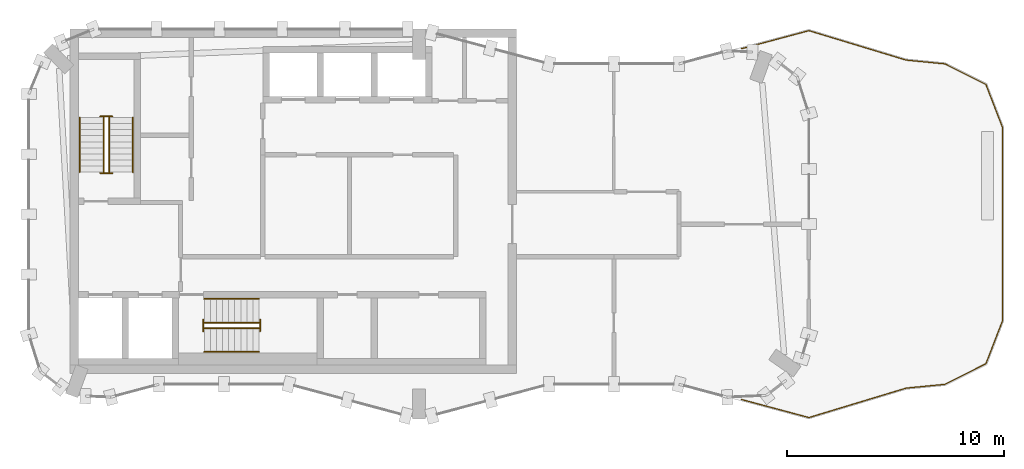
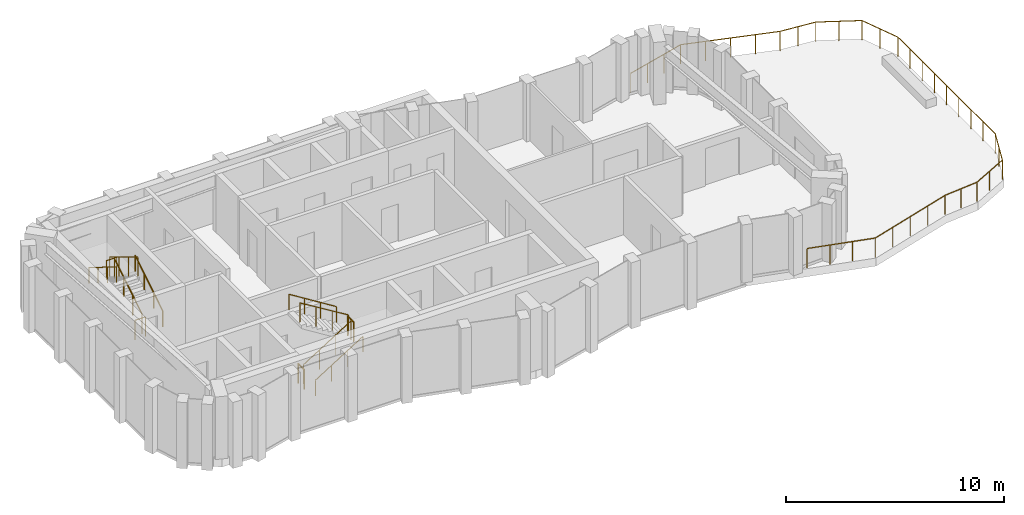
# One storey, part 5 of 5: 13 railings.
"""IFC4 building model written with IfcOpenShell, lengths in metres."""

from ifc_helpers import new_model, si_unit, direction, frame, origin, origin_2d, place, context, subcontext, project, spatial, circle, extrude, material, type_object, element, save


model = new_model("IFC4")

# Units and contexts
model_context = context("Model", 3, precision=1e-05, world=origin(), true_north=direction((0.0, 1.0)))
body_context = subcontext(model_context, "Body", "Model", "MODEL_VIEW")
ifc_project = project(units=[si_unit("LENGTHUNIT", "METRE"), si_unit("AREAUNIT", "SQUARE_METRE"), si_unit("VOLUMEUNIT", "CUBIC_METRE"), si_unit("PLANEANGLEUNIT", "RADIAN"), si_unit("MASSUNIT", "GRAM", prefix="KILO")], contexts=[model_context])

# Site, building, storey
site_placement = place(None, origin())
site = spatial("IfcSite", under=ifc_project, at=site_placement, CompositionType="ELEMENT")
building_placement = place(site_placement, origin())
building = spatial("IfcBuilding", under=site, at=building_placement, Name="Plateau Cross Towers", CompositionType="ELEMENT")
storey_placement = place(building_placement, frame((0.0, 0.0, 294.89990234375)))
storey = spatial("IfcBuildingStorey", under=building, at=storey_placement, Name="L78 Crown 2", CompositionType="ELEMENT", Elevation=294.89990234375)

# Railings
ifc_material_1 = material(Name="Stainless steel and toughened glass", Category="steel")
railing_type_1 = type_object("IfcRailingType", Name="Glass balustrade guard 1100", PredefinedType="GUARDRAIL", material=ifc_material_1)
railing_1_placement = place(storey_placement, frame((32.87451171875, 17.090576171875, 0.0)))
element("IfcRailing", 1, at=railing_1_placement, inside=storey, type_object=railing_type_1, Name="Guard guard1", PredefinedType="GUARDRAIL", context=body_context, shape_type="SweptSolid", body=[
    extrude(circle(Radius=0.02392578125, at=origin_2d()), frame((0.0, 0.0, 1.076171875), z_axis=(0.965962535817, 0.258682004395, 0.0), x_axis=(-0.258682004395, 0.965962535817, 0.0)), (0.0, 0.0, 1.0), 3.234375),
    extrude(circle(Radius=0.02392578125, at=origin_2d()), frame((3.124267578125, 0.836669921875, 1.076171875), z_axis=(0.957053301759, -0.289912016985, 0.0), x_axis=(0.289912016985, 0.957053301759, 0.0)), (0.0, 0.0, 1.0), 4.68896484375),
    extrude(circle(Radius=0.02392578125, at=origin_2d()), frame((7.61181640625, -0.522705078125, 1.076171875), z_axis=(0.995311170034, -0.096724737301, 0.0), x_axis=(0.096724737301, 0.995311170034, 0.0)), (0.0, 0.0, 1.0), 1.7919921875),
    extrude(circle(Radius=0.02392578125, at=origin_2d()), frame((9.3955078125, -0.696044921875, 1.076171875), z_axis=(0.893712463542, -0.448640203849, 0.0), x_axis=(0.448640203849, 0.893712463542, 0.0)), (0.0, 0.0, 1.0), 2.12109375),
    extrude(circle(Radius=0.02392578125, at=origin_2d()), frame((11.291259765625, -1.647705078125, 1.076171875), z_axis=(0.360251330697, -0.932855282844, 0.0), x_axis=(0.932855282844, 0.360251330697, 0.0)), (0.0, 0.0, 1.0), 2.12109375),
    extrude(circle(Radius=0.02392578125, at=origin_2d()), frame((12.055419921875, -3.62646484375, 1.076171875), z_axis=(0.0, -1.0, 0.0), x_axis=(1.0, 0.0, 0.0)), (0.0, 0.0, 1.0), 8.92822265625),
    extrude(circle(Radius=0.02392578125, at=origin_2d()), frame((12.055419921875, -12.5546875, 1.076171875), z_axis=(-0.360251330697, -0.932855282844, 0.0), x_axis=(0.932855282844, -0.360251330697, 0.0)), (0.0, 0.0, 1.0), 2.12109375),
    extrude(circle(Radius=0.02392578125, at=origin_2d()), frame((11.291259765625, -14.533447265625, 1.076171875), z_axis=(-0.893712463542, -0.448640203849, 0.0), x_axis=(0.448640203849, -0.893712463542, 0.0)), (0.0, 0.0, 1.0), 2.12109375),
    extrude(circle(Radius=0.02392578125, at=origin_2d()), frame((9.3955078125, -15.485107421875, 1.076171875), z_axis=(-0.995311170034, -0.096724737301, 0.0), x_axis=(0.096724737301, -0.995311170034, 0.0)), (0.0, 0.0, 1.0), 1.7919921875),
    extrude(circle(Radius=0.02392578125, at=origin_2d()), frame((7.61181640625, -15.658447265625, 1.076171875), z_axis=(-0.957053301759, -0.289912016985, 0.0), x_axis=(0.289912016985, -0.957053301759, 0.0)), (0.0, 0.0, 1.0), 4.68896484375),
    extrude(circle(Radius=0.02392578125, at=origin_2d()), frame((3.124267578125, -17.017822265625, 1.076171875), z_axis=(-0.965962535817, 0.258682004395, 0.0), x_axis=(-0.258682004395, -0.965962535817, 0.0)), (0.0, 0.0, 1.0), 3.234375),
    extrude(circle(Radius=0.02099609375, at=origin_2d()), origin(), (0.0, 0.0, 1.0), 1.052001953125),
    extrude(circle(Radius=0.02099609375, at=origin_2d()), frame((1.04150390625, 0.27880859375, 0.0)), (0.0, 0.0, 1.0), 1.052001953125),
    extrude(circle(Radius=0.02099609375, at=origin_2d()), frame((2.082763671875, 0.557861328125, 0.0)), (0.0, 0.0, 1.0), 1.052001953125),
    extrude(circle(Radius=0.02099609375, at=origin_2d()), frame((3.124267578125, 0.836669921875, 0.0)), (0.0, 0.0, 1.0), 1.052001953125),
    extrude(circle(Radius=0.02099609375, at=origin_2d()), frame((4.24609375, 0.496826171875, 0.0)), (0.0, 0.0, 1.0), 1.052001953125),
    extrude(circle(Radius=0.02099609375, at=origin_2d()), frame((5.3681640625, 0.156982421875, 0.0)), (0.0, 0.0, 1.0), 1.052001953125),
    extrude(circle(Radius=0.02099609375, at=origin_2d()), frame((6.489990234375, -0.182861328125, 0.0)), (0.0, 0.0, 1.0), 1.052001953125),
    extrude(circle(Radius=0.02099609375, at=origin_2d()), frame((7.61181640625, -0.522705078125, 0.0)), (0.0, 0.0, 1.0), 1.052001953125),
    extrude(circle(Radius=0.02099609375, at=origin_2d()), frame((8.503662109375, -0.609375, 0.0)), (0.0, 0.0, 1.0), 1.052001953125),
    extrude(circle(Radius=0.02099609375, at=origin_2d()), frame((9.3955078125, -0.696044921875, 0.0)), (0.0, 0.0, 1.0), 1.052001953125),
    extrude(circle(Radius=0.02099609375, at=origin_2d()), frame((10.34326171875, -1.171875, 0.0)), (0.0, 0.0, 1.0), 1.052001953125),
    extrude(circle(Radius=0.02099609375, at=origin_2d()), frame((11.291259765625, -1.647705078125, 0.0)), (0.0, 0.0, 1.0), 1.052001953125),
    extrude(circle(Radius=0.02099609375, at=origin_2d()), frame((11.67333984375, -2.63720703125, 0.0)), (0.0, 0.0, 1.0), 1.052001953125),
    extrude(circle(Radius=0.02099609375, at=origin_2d()), frame((12.055419921875, -3.62646484375, 0.0)), (0.0, 0.0, 1.0), 1.052001953125),
    extrude(circle(Radius=0.02099609375, at=origin_2d()), frame((12.055419921875, -4.742431640625, 0.0)), (0.0, 0.0, 1.0), 1.052001953125),
    extrude(circle(Radius=0.02099609375, at=origin_2d()), frame((12.055419921875, -5.8583984375, 0.0)), (0.0, 0.0, 1.0), 1.052001953125),
    extrude(circle(Radius=0.02099609375, at=origin_2d()), frame((12.055419921875, -6.974609375, 0.0)), (0.0, 0.0, 1.0), 1.052001953125),
    extrude(circle(Radius=0.02099609375, at=origin_2d()), frame((12.055419921875, -8.090576171875, 0.0)), (0.0, 0.0, 1.0), 1.052001953125),
    extrude(circle(Radius=0.02099609375, at=origin_2d()), frame((12.055419921875, -9.20654296875, 0.0)), (0.0, 0.0, 1.0), 1.052001953125),
    extrude(circle(Radius=0.02099609375, at=origin_2d()), frame((12.055419921875, -10.32275390625, 0.0)), (0.0, 0.0, 1.0), 1.052001953125),
    extrude(circle(Radius=0.02099609375, at=origin_2d()), frame((12.055419921875, -11.438720703125, 0.0)), (0.0, 0.0, 1.0), 1.052001953125),
    extrude(circle(Radius=0.02099609375, at=origin_2d()), frame((12.055419921875, -12.5546875, 0.0)), (0.0, 0.0, 1.0), 1.052001953125),
    extrude(circle(Radius=0.02099609375, at=origin_2d()), frame((11.67333984375, -13.5439453125, 0.0)), (0.0, 0.0, 1.0), 1.052001953125),
    extrude(circle(Radius=0.02099609375, at=origin_2d()), frame((11.291259765625, -14.533447265625, 0.0)), (0.0, 0.0, 1.0), 1.052001953125),
    extrude(circle(Radius=0.02099609375, at=origin_2d()), frame((10.34326171875, -15.00927734375, 0.0)), (0.0, 0.0, 1.0), 1.052001953125),
    extrude(circle(Radius=0.02099609375, at=origin_2d()), frame((9.3955078125, -15.485107421875, 0.0)), (0.0, 0.0, 1.0), 1.052001953125),
    extrude(circle(Radius=0.02099609375, at=origin_2d()), frame((8.503662109375, -15.57177734375, 0.0)), (0.0, 0.0, 1.0), 1.052001953125),
    extrude(circle(Radius=0.02099609375, at=origin_2d()), frame((7.61181640625, -15.658447265625, 0.0)), (0.0, 0.0, 1.0), 1.052001953125),
    extrude(circle(Radius=0.02099609375, at=origin_2d()), frame((6.489990234375, -15.998291015625, 0.0)), (0.0, 0.0, 1.0), 1.052001953125),
    extrude(circle(Radius=0.02099609375, at=origin_2d()), frame((5.3681640625, -16.338134765625, 0.0)), (0.0, 0.0, 1.0), 1.052001953125),
    extrude(circle(Radius=0.02099609375, at=origin_2d()), frame((4.24609375, -16.677978515625, 0.0)), (0.0, 0.0, 1.0), 1.052001953125),
    extrude(circle(Radius=0.02099609375, at=origin_2d()), frame((3.124267578125, -17.017822265625, 0.0)), (0.0, 0.0, 1.0), 1.052001953125),
    extrude(circle(Radius=0.02099609375, at=origin_2d()), frame((2.082763671875, -16.739013671875, 0.0)), (0.0, 0.0, 1.0), 1.052001953125),
    extrude(circle(Radius=0.02099609375, at=origin_2d()), frame((1.04150390625, -16.4599609375, 0.0)), (0.0, 0.0, 1.0), 1.052001953125),
    extrude(circle(Radius=0.02099609375, at=origin_2d()), frame((0.0, -16.18115234375, 0.0)), (0.0, 0.0, 1.0), 1.052001953125),
])
railing_type_2 = type_object("IfcRailingType", Name="RL-GUARD-1100", PredefinedType="GUARDRAIL", material=ifc_material_1)
railing_2_placement = place(storey_placement, frame((3.699951171875, 11.39990234375, 0.175048828125)))
element("IfcRailing", 2, at=railing_2_placement, inside=storey, type_object=railing_type_2, Name="L78 Crown 2 ST-1 stair guard 1", PredefinedType="GUARDRAIL", context=body_context, shape_type="SweptSolid", body=[
    extrude(circle(Radius=0.02392578125, at=origin_2d()), frame((0.0, 0.0, 1.076171875), z_axis=(0.0, 0.848007534815, 0.529984170421), x_axis=(-1.0, 0.0, 0.0)), (0.0, 0.0, 1.0), 2.9716796875),
    extrude(circle(Radius=0.02099609375, at=origin_2d()), origin(), (0.0, 0.0, 1.0), 1.052001953125),
    extrude(circle(Radius=0.02099609375, at=origin_2d()), frame((0.0, 0.840087890625, 0.52490234375)), (0.0, 0.0, 1.0), 1.052001953125),
    extrude(circle(Radius=0.02099609375, at=origin_2d()), frame((0.0, 1.679931640625, 1.050048828125)), (0.0, 0.0, 1.0), 1.052001953125),
    extrude(circle(Radius=0.02099609375, at=origin_2d()), frame((0.0, 2.52001953125, 1.574951171875)), (0.0, 0.0, 1.0), 1.052001953125),
])
railing_3_placement = place(storey_placement, frame((3.85009765625, 13.969970703125, 1.75)))
element("IfcRailing", 3, at=railing_3_placement, inside=storey, type_object=railing_type_2, Name="L78 Crown 2 ST-1 stair guard 2", PredefinedType="GUARDRAIL", context=body_context, shape_type="SweptSolid", body=[
    extrude(circle(Radius=0.02392578125, at=origin_2d()), frame((0.0, 0.0, 1.076171875), z_axis=(-1.0, 0.0, 0.0), x_axis=(0.0, -1.0, 0.0)), (0.0, 0.0, 1.0), 0.550048828125),
    extrude(circle(Radius=0.02099609375, at=origin_2d()), origin(), (0.0, 0.0, 1.0), 1.052001953125),
    extrude(circle(Radius=0.02099609375, at=origin_2d()), frame((-0.550048828125, 0.0, 0.0)), (0.0, 0.0, 1.0), 1.052001953125),
])
railing_4_placement = place(storey_placement, frame((3.449951171875, 13.919921875, 1.925048828125)))
element("IfcRailing", 4, at=railing_4_placement, inside=storey, type_object=railing_type_2, Name="L78 Crown 2 ST-1 stair guard 3", PredefinedType="GUARDRAIL", context=body_context, shape_type="SweptSolid", body=[
    extrude(circle(Radius=0.02392578125, at=origin_2d()), frame((0.0, 0.0, 1.076171875), z_axis=(0.0, -0.852616386126, 0.522537365276), x_axis=(1.0, 0.0, 0.0)), (0.0, 0.0, 1.0), 3.01416015625),
    extrude(circle(Radius=0.02099609375, at=origin_2d()), origin(), (0.0, 0.0, 1.0), 1.052001953125),
    extrude(circle(Radius=0.02099609375, at=origin_2d()), frame((0.0, -0.856689453125, 0.52490234375)), (0.0, 0.0, 1.0), 1.052001953125),
    extrude(circle(Radius=0.02099609375, at=origin_2d()), frame((0.0, -1.713134765625, 1.050048828125)), (0.0, 0.0, 1.0), 1.052001953125),
    extrude(circle(Radius=0.02099609375, at=origin_2d()), frame((0.0, -2.56982421875, 1.574951171875)), (0.0, 0.0, 1.0), 1.052001953125),
])
railing_5_placement = place(storey_placement, frame((3.85009765625, 11.35009765625, 0.0)))
element("IfcRailing", 5, at=railing_5_placement, inside=storey, type_object=railing_type_2, Name="L78 Crown 2 ST-1 stair guard 4", PredefinedType="GUARDRAIL", context=body_context, shape_type="SweptSolid", body=[
    extrude(circle(Radius=0.02392578125, at=origin_2d()), frame((0.0, 0.0, 1.076171875), z_axis=(-1.0, 0.0, 0.0), x_axis=(0.0, -1.0, 0.0)), (0.0, 0.0, 1.0), 0.550048828125),
    extrude(circle(Radius=0.02099609375, at=origin_2d()), origin(), (0.0, 0.0, 1.0), 1.052001953125),
    extrude(circle(Radius=0.02099609375, at=origin_2d()), frame((-0.550048828125, 0.0, 0.0)), (0.0, 0.0, 1.0), 1.052001953125),
])
railing_6_placement = place(storey_placement, frame((8.10009765625, 4.199951171875, 0.175048828125)))
element("IfcRailing", 6, at=railing_6_placement, inside=storey, type_object=railing_type_2, Name="L78 Crown 2 ST-2 stair guard 1", PredefinedType="GUARDRAIL", context=body_context, shape_type="SweptSolid", body=[
    extrude(circle(Radius=0.02392578125, at=origin_2d()), frame((0.0, 0.0, 1.076171875), z_axis=(0.848007534815, 0.0, 0.529984170421), x_axis=(0.0, 1.0, 0.0)), (0.0, 0.0, 1.0), 2.9716796875),
    extrude(circle(Radius=0.02099609375, at=origin_2d()), origin(), (0.0, 0.0, 1.0), 1.052001953125),
    extrude(circle(Radius=0.02099609375, at=origin_2d()), frame((0.840087890625, 0.0, 0.52490234375)), (0.0, 0.0, 1.0), 1.052001953125),
    extrude(circle(Radius=0.02099609375, at=origin_2d()), frame((1.679931640625, 0.0, 1.050048828125)), (0.0, 0.0, 1.0), 1.052001953125),
    extrude(circle(Radius=0.02099609375, at=origin_2d()), frame((2.52001953125, 0.0, 1.574951171875)), (0.0, 0.0, 1.0), 1.052001953125),
])
railing_7_placement = place(storey_placement, frame((10.669921875, 4.050048828125, 1.75)))
element("IfcRailing", 7, at=railing_7_placement, inside=storey, type_object=railing_type_2, Name="L78 Crown 2 ST-2 stair guard 2", PredefinedType="GUARDRAIL", context=body_context, shape_type="SweptSolid", body=[
    extrude(circle(Radius=0.02392578125, at=origin_2d()), frame((0.0, 0.0, 1.076171875), z_axis=(0.0, 1.0, 0.0), x_axis=(-1.0, 0.0, 0.0)), (0.0, 0.0, 1.0), 0.550048828125),
    extrude(circle(Radius=0.02099609375, at=origin_2d()), origin(), (0.0, 0.0, 1.0), 1.052001953125),
    extrude(circle(Radius=0.02099609375, at=origin_2d()), frame((0.0, 0.550048828125, 0.0)), (0.0, 0.0, 1.0), 1.052001953125),
])
railing_8_placement = place(storey_placement, frame((10.6201171875, 4.449951171875, 1.925048828125)))
element("IfcRailing", 8, at=railing_8_placement, inside=storey, type_object=railing_type_2, Name="L78 Crown 2 ST-2 stair guard 3", PredefinedType="GUARDRAIL", context=body_context, shape_type="SweptSolid", body=[
    extrude(circle(Radius=0.02392578125, at=origin_2d()), frame((0.0, 0.0, 1.076171875), z_axis=(-0.852638500773, 0.0, 0.522501279423), x_axis=(0.0, -1.0, 0.0)), (0.0, 0.0, 1.0), 3.01416015625),
    extrude(circle(Radius=0.02099609375, at=origin_2d()), origin(), (0.0, 0.0, 1.0), 1.052001953125),
    extrude(circle(Radius=0.02099609375, at=origin_2d()), frame((-0.856689453125, 0.0, 0.52490234375)), (0.0, 0.0, 1.0), 1.052001953125),
    extrude(circle(Radius=0.02099609375, at=origin_2d()), frame((-1.71337890625, 0.0, 1.050048828125)), (0.0, 0.0, 1.0), 1.052001953125),
    extrude(circle(Radius=0.02099609375, at=origin_2d()), frame((-2.570068359375, 0.0, 1.574951171875)), (0.0, 0.0, 1.0), 1.052001953125),
])
railing_9_placement = place(storey_placement, frame((8.050048828125, 4.050048828125, 0.0)))
element("IfcRailing", 9, at=railing_9_placement, inside=storey, type_object=railing_type_2, Name="L78 Crown 2 ST-2 stair guard 4", PredefinedType="GUARDRAIL", context=body_context, shape_type="SweptSolid", body=[
    extrude(circle(Radius=0.02392578125, at=origin_2d()), frame((0.0, 0.0, 1.076171875), z_axis=(0.0, 1.0, 0.0), x_axis=(-1.0, 0.0, 0.0)), (0.0, 0.0, 1.0), 0.550048828125),
    extrude(circle(Radius=0.02099609375, at=origin_2d()), origin(), (0.0, 0.0, 1.0), 1.052001953125),
    extrude(circle(Radius=0.02099609375, at=origin_2d()), frame((0.0, 0.550048828125, 0.0)), (0.0, 0.0, 1.0), 1.052001953125),
])
ifc_material_2 = material(Name="Black anodised aluminium", Category="aluminium")
railing_type_3 = type_object("IfcRailingType", Name="RL-HANDRAIL-900", PredefinedType="HANDRAIL", material=ifc_material_2)
railing_10_placement = place(storey_placement, frame((4.800048828125, 11.39990234375, 0.175048828125)))
element("IfcRailing", 10, at=railing_10_placement, inside=storey, type_object=railing_type_3, Name="L78 Crown 2 ST-1 stair handrail 1", PredefinedType="HANDRAIL", context=body_context, shape_type="SweptSolid", body=[
    extrude(circle(Radius=0.02392578125, at=origin_2d()), frame((0.0, 0.0, 0.8759765625), z_axis=(0.0, 0.848007534815, 0.529984170421), x_axis=(-1.0, 0.0, 0.0)), (0.0, 0.0, 1.0), 2.9716796875),
    extrude(circle(Radius=0.02099609375, at=origin_2d()), origin(), (0.0, 0.0, 1.0), 0.851806640625),
    extrude(circle(Radius=0.02099609375, at=origin_2d()), frame((0.0, 0.840087890625, 0.52490234375)), (0.0, 0.0, 1.0), 0.851806640625),
    extrude(circle(Radius=0.02099609375, at=origin_2d()), frame((0.0, 1.679931640625, 1.050048828125)), (0.0, 0.0, 1.0), 0.851806640625),
    extrude(circle(Radius=0.02099609375, at=origin_2d()), frame((0.0, 2.52001953125, 1.574951171875)), (0.0, 0.0, 1.0), 0.851806640625),
])
railing_11_placement = place(storey_placement, frame((2.35009765625, 13.919921875, 1.925048828125)))
element("IfcRailing", 11, at=railing_11_placement, inside=storey, type_object=railing_type_3, Name="L78 Crown 2 ST-1 stair handrail 2", PredefinedType="HANDRAIL", context=body_context, shape_type="SweptSolid", body=[
    extrude(circle(Radius=0.02392578125, at=origin_2d()), frame((0.0, 0.0, 0.8759765625), z_axis=(0.0, -0.848007534815, 0.529984170421), x_axis=(1.0, 0.0, 0.0)), (0.0, 0.0, 1.0), 2.9716796875),
    extrude(circle(Radius=0.02099609375, at=origin_2d()), origin(), (0.0, 0.0, 1.0), 0.851806640625),
    extrude(circle(Radius=0.02099609375, at=origin_2d()), frame((0.0, -0.840087890625, 0.52490234375)), (0.0, 0.0, 1.0), 0.851806640625),
    extrude(circle(Radius=0.02099609375, at=origin_2d()), frame((0.0, -1.679931640625, 1.050048828125)), (0.0, 0.0, 1.0), 0.851806640625),
    extrude(circle(Radius=0.02099609375, at=origin_2d()), frame((0.0, -2.52001953125, 1.574951171875)), (0.0, 0.0, 1.0), 0.851806640625),
])
railing_12_placement = place(storey_placement, frame((8.10009765625, 3.10009765625, 0.175048828125)))
element("IfcRailing", 12, at=railing_12_placement, inside=storey, type_object=railing_type_3, Name="L78 Crown 2 ST-2 stair handrail 1", PredefinedType="HANDRAIL", context=body_context, shape_type="SweptSolid", body=[
    extrude(circle(Radius=0.02392578125, at=origin_2d()), frame((0.0, 0.0, 0.8759765625), z_axis=(0.848007534815, 0.0, 0.529984170421), x_axis=(0.0, 1.0, 0.0)), (0.0, 0.0, 1.0), 2.9716796875),
    extrude(circle(Radius=0.02099609375, at=origin_2d()), origin(), (0.0, 0.0, 1.0), 0.851806640625),
    extrude(circle(Radius=0.02099609375, at=origin_2d()), frame((0.840087890625, 0.0, 0.52490234375)), (0.0, 0.0, 1.0), 0.851806640625),
    extrude(circle(Radius=0.02099609375, at=origin_2d()), frame((1.679931640625, 0.0, 1.050048828125)), (0.0, 0.0, 1.0), 0.851806640625),
    extrude(circle(Radius=0.02099609375, at=origin_2d()), frame((2.52001953125, 0.0, 1.574951171875)), (0.0, 0.0, 1.0), 0.851806640625),
])
railing_13_placement = place(storey_placement, frame((10.6201171875, 5.550048828125, 1.925048828125)))
element("IfcRailing", 13, at=railing_13_placement, inside=storey, type_object=railing_type_3, Name="L78 Crown 2 ST-2 stair handrail 2", PredefinedType="HANDRAIL", context=body_context, shape_type="SweptSolid", body=[
    extrude(circle(Radius=0.02392578125, at=origin_2d()), frame((0.0, 0.0, 0.8759765625), z_axis=(-0.848007534815, 0.0, 0.529984170421), x_axis=(0.0, -1.0, 0.0)), (0.0, 0.0, 1.0), 2.9716796875),
    extrude(circle(Radius=0.02099609375, at=origin_2d()), origin(), (0.0, 0.0, 1.0), 0.851806640625),
    extrude(circle(Radius=0.02099609375, at=origin_2d()), frame((-0.840087890625, 0.0, 0.52490234375)), (0.0, 0.0, 1.0), 0.851806640625),
    extrude(circle(Radius=0.02099609375, at=origin_2d()), frame((-1.679931640625, 0.0, 1.050048828125)), (0.0, 0.0, 1.0), 0.851806640625),
    extrude(circle(Radius=0.02099609375, at=origin_2d()), frame((-2.52001953125, 0.0, 1.574951171875)), (0.0, 0.0, 1.0), 0.851806640625),
])

save(model, "model.ifc")
